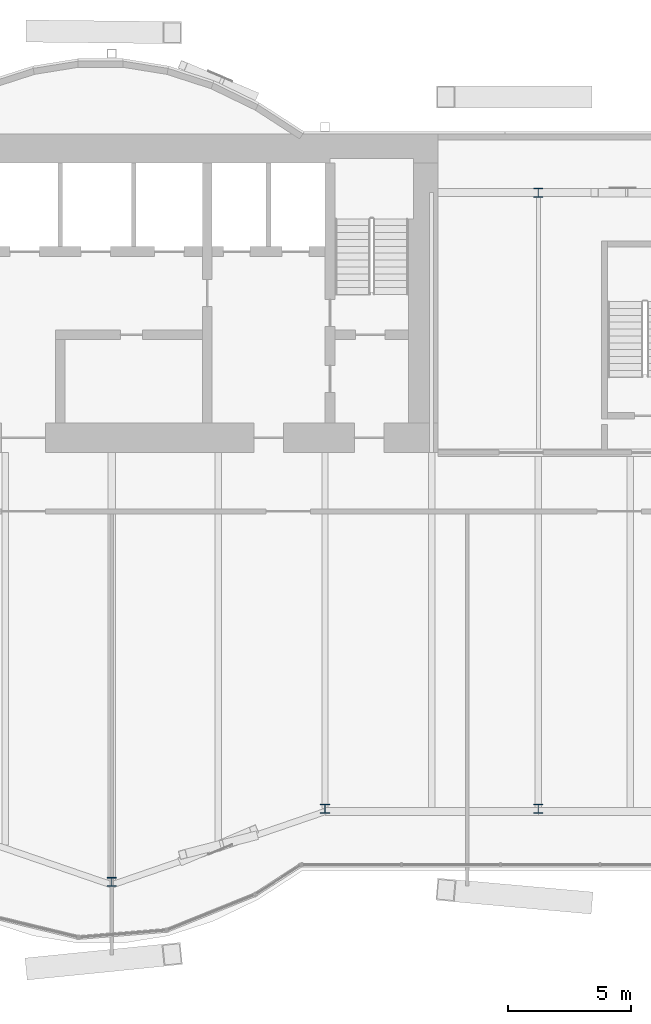
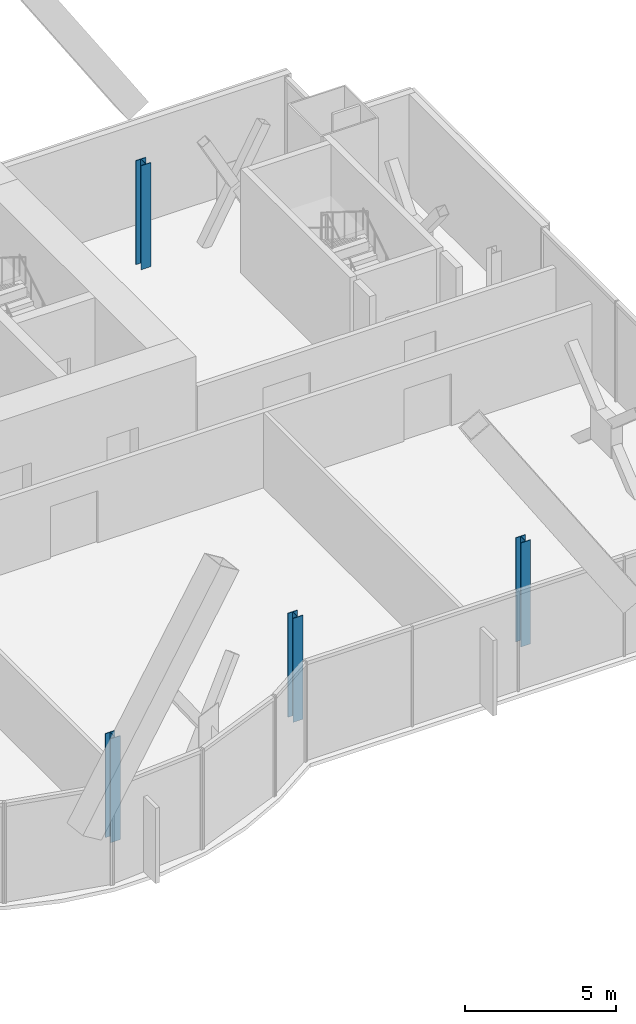
# One storey, part 2 of 20: 4 columns.
"""IFC4 building model written with IfcOpenShell, lengths in metres."""

from ifc_helpers import new_model, si_unit, direction, frame, origin, origin_2d, place, context, subcontext, project, spatial, i_section, extrude, material, material_profile, profile_set, type_object, element, save


model = new_model("IFC4")

# Units and contexts
model_context = context("Model", 3, precision=1e-05, world=origin(), true_north=direction((0.0, 1.0)))
body_context = subcontext(model_context, "Body", "Model", "MODEL_VIEW")
ifc_project = project(units=[si_unit("LENGTHUNIT", "METRE"), si_unit("AREAUNIT", "SQUARE_METRE"), si_unit("VOLUMEUNIT", "CUBIC_METRE"), si_unit("PLANEANGLEUNIT", "RADIAN"), si_unit("MASSUNIT", "GRAM", prefix="KILO")], contexts=[model_context])

# Site, building, storey
site_placement = place(None, origin())
site = spatial("IfcSite", under=ifc_project, at=site_placement, CompositionType="ELEMENT")
building_placement = place(site_placement, origin())
building = spatial("IfcBuilding", under=site, at=building_placement, Name="Bicima Exchange Tower", CompositionType="ELEMENT")
storey_placement = place(building_placement, frame((0.0, 0.0, 245.60009765625)))
storey = spatial("IfcBuildingStorey", under=building, at=storey_placement, Name="L55", CompositionType="ELEMENT", Elevation=245.60009765625)

# Columns
ifc_material = material(Name="Steel ASTM A992 Gr 50", Category="steel")
ifc_material_profile = material_profile(ifc_material, i_section(OverallWidth=0.370849609375, OverallDepth=0.36328125, WebThickness=0.013427734375, FlangeThickness=0.021728515625, at=origin_2d()))
ifc_profile_set = profile_set([ifc_material_profile], Name="Steel ASTM A992 Gr 50")
column_type = type_object("IfcColumnType", Name="Perimeter column W14x109", PredefinedType="COLUMN", material=ifc_profile_set)
for number, where, z_axis, x_axis, name in (
    (1, (8.699951171875, -30.51318359375, 0.0), (0.0, 0.0, 1.0), (1.0, 0.0, 0.0), "Perimeter column grav+8.7f"),
    (2, (17.39990234375, -27.52197265625, 0.0), (0.0, 0.0, 1.0), (1.0, 0.0, 0.0), "Perimeter column grav+17.4f"),
    (3, (26.10009765625, -27.52197265625, 0.0), (0.0, 0.0, 1.0), (1.0, 0.0, 0.0), "Perimeter column grav+26.1f"),
    (4, (26.10009765625, -2.39990234375, 0.0), (0.0, 0.0, 1.0), (1.0, 0.0, 0.0), "Perimeter column grav+26.1r"),
):
    element("IfcColumn", number, at=place(storey_placement, frame(where, z_axis=z_axis, x_axis=x_axis)), inside=storey, type_object=column_type, Name=name, PredefinedType="COLUMN", context=body_context, shape_type="SweptSolid", body=[
        extrude(i_section(OverallWidth=0.370849609375, OverallDepth=0.36328125, WebThickness=0.013427734375, FlangeThickness=0.021728515625, at=origin_2d()), origin(), (0.0, 0.0, 1.0), 4.199951171875),
    ])

save(model, "model.ifc")
